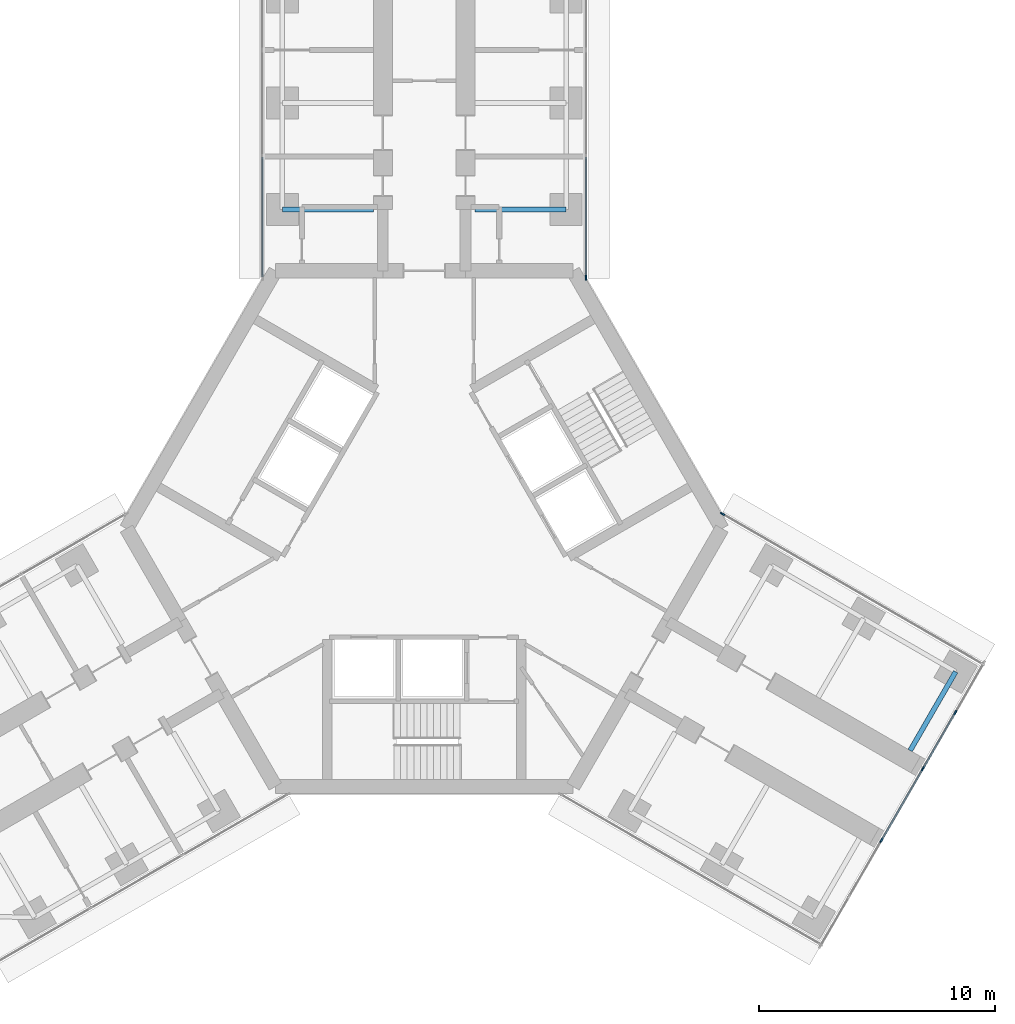
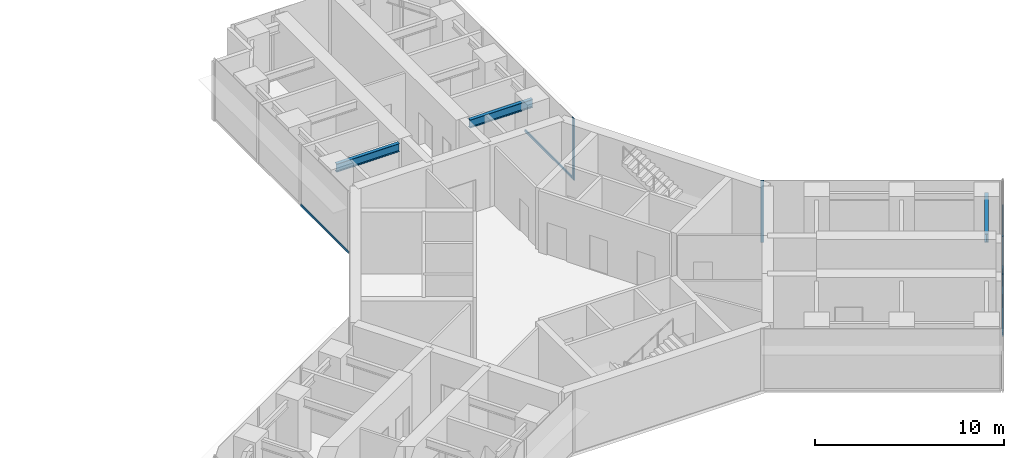
# One storey, part 10 of 21: 9 members, 3 beams, 4 elements without a shape of their own.
"""IFC4 building model written with IfcOpenShell, lengths in metres."""

from ifc_helpers import new_model, si_unit, direction, frame, origin, origin_2d, place, context, subcontext, project, spatial, rectangle, i_section, extrude, material, material_profile, profile_set, type_object, element, aggregate, save


model = new_model("IFC4")

# Units and contexts
model_context = context("Model", 3, precision=1e-05, world=origin(), true_north=direction((0.0, 1.0)))
body_context = subcontext(model_context, "Body", "Model", "MODEL_VIEW")
ifc_project = project(units=[si_unit("LENGTHUNIT", "METRE"), si_unit("AREAUNIT", "SQUARE_METRE"), si_unit("VOLUMEUNIT", "CUBIC_METRE"), si_unit("PLANEANGLEUNIT", "RADIAN"), si_unit("MASSUNIT", "GRAM", prefix="KILO")], contexts=[model_context])

# Site, building, storey
site_placement = place(None, origin())
site = spatial("IfcSite", under=ifc_project, at=site_placement, CompositionType="ELEMENT")
building_placement = place(site_placement, origin())
building = spatial("IfcBuilding", under=site, at=building_placement, Name="Upepo Twin Towers", CompositionType="ELEMENT")
storey_placement = place(building_placement, frame((0.0, 0.0, 113.5)))
storey = spatial("IfcBuildingStorey", under=building, at=storey_placement, Name="L27", CompositionType="ELEMENT", Elevation=113.5)

# Beams
ifc_material_1 = material(Name="Steel S355", Category="steel")
ifc_material_profile_1 = material_profile(ifc_material_1, i_section(OverallWidth=0.209228515625, OverallDepth=0.533203125, WebThickness=0.010009765625, FlangeThickness=0.015625, FilletRadius=0.0126953125, at=origin_2d()), Name="UB 533x210x92")
ifc_profile_set_1 = profile_set([ifc_material_profile_1], Name="Steel S355")
beam_type = type_object("IfcBeamType", Name="Beam UB 533x210x92", PredefinedType="BEAM", material=ifc_profile_set_1)
for number, where, z_axis, x_axis, name in (
    (1, (52.5, -4.5, 3.533447265625), (1.0, 0.0, 0.0), (0.0, 1.0, 0.0), "T2 girder AL at 13.5"),
    (2, (64.5, -4.5, 3.533447265625), (-1.0, 0.0, 0.0), (0.0, -1.0, 0.0), "T2 girder AR at 13.5"),
):
    element("IfcBeam", number, at=place(storey_placement, frame(where, z_axis=z_axis, x_axis=x_axis)), inside=storey, type_object=beam_type, Name=name, PredefinedType="BEAM", context=body_context, shape_type="SweptSolid", body=[
        extrude(i_section(OverallWidth=0.209228515625, OverallDepth=0.533203125, WebThickness=0.010009765625, FlangeThickness=0.015625, FilletRadius=0.0126953125, at=origin_2d()), origin(), (0.0, 0.0, 1.0), 3.85009765625),
    ])
beam_placement = place(storey_placement, frame((80.985595703125, -24.053955078125, 3.533447265625), z_axis=(-0.500033517596, -0.866006051527, 0.0), x_axis=(0.866006051527, -0.500033517596, 0.0)))
element("IfcBeam", 3, at=beam_placement, inside=storey, type_object=beam_type, Name="T2 girder CL at 22.5", PredefinedType="BEAM", context=body_context, shape_type="SweptSolid", body=[
    extrude(i_section(OverallWidth=0.209228515625, OverallDepth=0.533203125, WebThickness=0.010009765625, FlangeThickness=0.015625, FilletRadius=0.0126953125, at=origin_2d()), origin(), (0.0, 0.0, 1.0), 3.849853515625),
])

# Curtain wall, member
ifc_material_2 = material(Name="Aluminium and fritted glass", Category="aluminium")
curtain_wall_type = type_object("IfcCurtainWallType", Name="Tower curtain wall TW2, fritted glass", PredefinedType="NOTDEFINED", material=ifc_material_2)
curtain_wall_1_placement = place(storey_placement, origin())
curtain_wall_1 = element("IfcCurtainWall", 4, at=curtain_wall_1_placement, inside=storey, type_object=curtain_wall_type, Name="T2 L27 wing A flank R curtain wall", PredefinedType="NOTDEFINED")
ifc_material_3 = material(Name="Aluminium mullion", Category="aluminium")
ifc_material_profile_2 = material_profile(ifc_material_3, rectangle(XDim=0.06494140625, YDim=0.199951171875, at=origin_2d()), Name="MULLION 65x200")
ifc_profile_set_2 = profile_set([ifc_material_profile_2], Name="Aluminium mullion")
member_type_1 = type_object("IfcMemberType", Name="Mullion 65x200 TW2", PredefinedType="MULLION", material=ifc_profile_set_2)
member_1_placement = place(storey_placement, frame((65.35009765625, -7.38037109375, 0.0), z_axis=(0.0, 0.0, 1.0), x_axis=(1.0, 0.0, 0.0)))
member_1 = element("IfcMember", 5, at=member_1_placement, type_object=member_type_1, Name="T2 L27 wing A flank R curtain wall mullion 4", PredefinedType="MULLION", context=body_context, shape_type="SweptSolid", body=[
    extrude(rectangle(XDim=0.06494140625, YDim=0.199951171875, at=origin_2d()), origin(), (0.0, 0.0, 1.0), 4.0),
])

curtain_wall_2_placement = place(storey_placement, origin())
curtain_wall_2 = element("IfcCurtainWall", 6, at=curtain_wall_2_placement, inside=storey, type_object=curtain_wall_type, Name="T2 L27 wing C flank L curtain wall", PredefinedType="NOTDEFINED")
member_2_placement = place(storey_placement, frame((71.121826171875, -17.37744140625, 0.0), z_axis=(0.0, 0.0, 1.0), x_axis=(0.50000000792, 0.866025399212, 0.0)))
member_2 = element("IfcMember", 7, at=member_2_placement, type_object=member_type_1, Name="T2 L27 wing C flank L curtain wall mullion 1", PredefinedType="MULLION", context=body_context, shape_type="SweptSolid", body=[
    extrude(rectangle(XDim=0.06494140625, YDim=0.199951171875, at=origin_2d()), origin(), (0.0, 0.0, 1.0), 4.0),
])
aggregate(curtain_wall_2, [member_2])

# Curtain wall, members
curtain_wall_3_placement = place(storey_placement, origin())
curtain_wall_3 = element("IfcCurtainWall", 8, at=curtain_wall_3_placement, inside=storey, type_object=curtain_wall_type, Name="T2 L27 wing C nose curtain wall", PredefinedType="NOTDEFINED")
member_3_placement = place(storey_placement, frame((77.8466796875, -31.1904296875, 0.0), z_axis=(0.0, 0.0, 1.0), x_axis=(-0.866025419745, 0.499999972355, 0.0)))
member_3 = element("IfcMember", 9, at=member_3_placement, type_object=member_type_1, Name="T2 L27 wing C nose curtain wall mullion 3", PredefinedType="MULLION", context=body_context, shape_type="SweptSolid", body=[
    extrude(rectangle(XDim=0.06494140625, YDim=0.199951171875, at=origin_2d()), origin(), (0.0, 0.0, 1.0), 4.0),
])
member_4_placement = place(storey_placement, frame((79.5966796875, -28.159423828125, 0.0), z_axis=(0.0, 0.0, 1.0), x_axis=(-0.866025419745, 0.499999972355, 0.0)))
member_4 = element("IfcMember", 10, at=member_4_placement, type_object=member_type_1, Name="T2 L27 wing C nose curtain wall mullion 4", PredefinedType="MULLION", context=body_context, shape_type="SweptSolid", body=[
    extrude(rectangle(XDim=0.06494140625, YDim=0.199951171875, at=origin_2d()), origin(), (0.0, 0.0, 1.0), 4.0),
])
member_5_placement = place(storey_placement, frame((80.9716796875, -25.77783203125, 0.0), z_axis=(0.0, 0.0, 1.0), x_axis=(-0.866025419745, 0.499999972355, 0.0)))
member_5 = element("IfcMember", 11, at=member_5_placement, type_object=member_type_1, Name="T2 L27 wing C nose curtain wall mullion 5", PredefinedType="MULLION", context=body_context, shape_type="SweptSolid", body=[
    extrude(rectangle(XDim=0.06494140625, YDim=0.199951171875, at=origin_2d()), origin(), (0.0, 0.0, 1.0), 4.0),
])

# Curtain wall, member
curtain_wall_4_placement = place(storey_placement, origin())
curtain_wall_4 = element("IfcCurtainWall", 12, at=curtain_wall_4_placement, inside=storey, type_object=curtain_wall_type, Name="T2 L27 wing A flank L curtain wall", PredefinedType="NOTDEFINED")
ifc_material_4 = material(Name="Aluminium transom", Category="aluminium")
ifc_material_profile_3 = material_profile(ifc_material_4, rectangle(XDim=0.06494140625, YDim=0.14990234375, at=origin_2d()), Name="TRANSOM 65x150")
ifc_profile_set_3 = profile_set([ifc_material_profile_3], Name="Aluminium transom")
member_type_2 = type_object("IfcMemberType", Name="Transom 65x150 TW2", PredefinedType="USERDEFINED", material=ifc_profile_set_3)
member_6_placement = place(storey_placement, frame((51.64990234375, -7.347900390625, 0.074951171875), z_axis=(0.0, 1.0, 0.0), x_axis=(-1.0, 0.0, 0.0)))
member_6 = element("IfcMember", 13, at=member_6_placement, type_object=member_type_2, Name="T2 L27 wing A flank L curtain wall transom 1", ObjectType="TRANSOM", PredefinedType="USERDEFINED", context=body_context, shape_type="SweptSolid", body=[
    extrude(rectangle(XDim=0.06494140625, YDim=0.14990234375, at=origin_2d()), origin(), (0.0, 0.0, 1.0), 5.0654296875),
])
aggregate(curtain_wall_4, [member_6])

# Member
member_7_placement = place(storey_placement, frame((65.35009765625, -2.282470703125, 0.074951171875), z_axis=(0.0, -1.0, 0.0), x_axis=(1.0, 0.0, 0.0)))
member_7 = element("IfcMember", 14, at=member_7_placement, type_object=member_type_2, Name="T2 L27 wing A flank R curtain wall transom 3", ObjectType="TRANSOM", PredefinedType="USERDEFINED", context=body_context, shape_type="SweptSolid", body=[
    extrude(rectangle(XDim=0.06494140625, YDim=0.14990234375, at=origin_2d()), origin(), (0.0, 0.0, 1.0), 5.0654296875),
])

aggregate(curtain_wall_1, [member_1, member_7])

member_8_placement = place(storey_placement, frame((77.863037109375, -31.162353515625, 0.074951171875), z_axis=(0.499945997713, 0.866056579774, 0.0), x_axis=(-0.866056579774, 0.499945997713, 0.0)))
member_8 = element("IfcMember", 15, at=member_8_placement, type_object=member_type_2, Name="T2 L27 wing C nose curtain wall transom 3", ObjectType="TRANSOM", PredefinedType="USERDEFINED", context=body_context, shape_type="SweptSolid", body=[
    extrude(rectangle(XDim=0.06494140625, YDim=0.14990234375, at=origin_2d()), origin(), (0.0, 0.0, 1.0), 3.43505859375),
])

member_9_placement = place(storey_placement, frame((79.613037109375, -28.13134765625, 0.074951171875), z_axis=(0.49995335277, 0.8660523339, 0.0), x_axis=(-0.8660523339, 0.49995335277, 0.0)))
member_9 = element("IfcMember", 16, at=member_9_placement, type_object=member_type_2, Name="T2 L27 wing C nose curtain wall transom 4", ObjectType="TRANSOM", PredefinedType="USERDEFINED", context=body_context, shape_type="SweptSolid", body=[
    extrude(rectangle(XDim=0.06494140625, YDim=0.14990234375, at=origin_2d()), origin(), (0.0, 0.0, 1.0), 2.684814453125),
])

aggregate(curtain_wall_3, [member_3, member_4, member_5, member_8, member_9])

save(model, "model.ifc")
